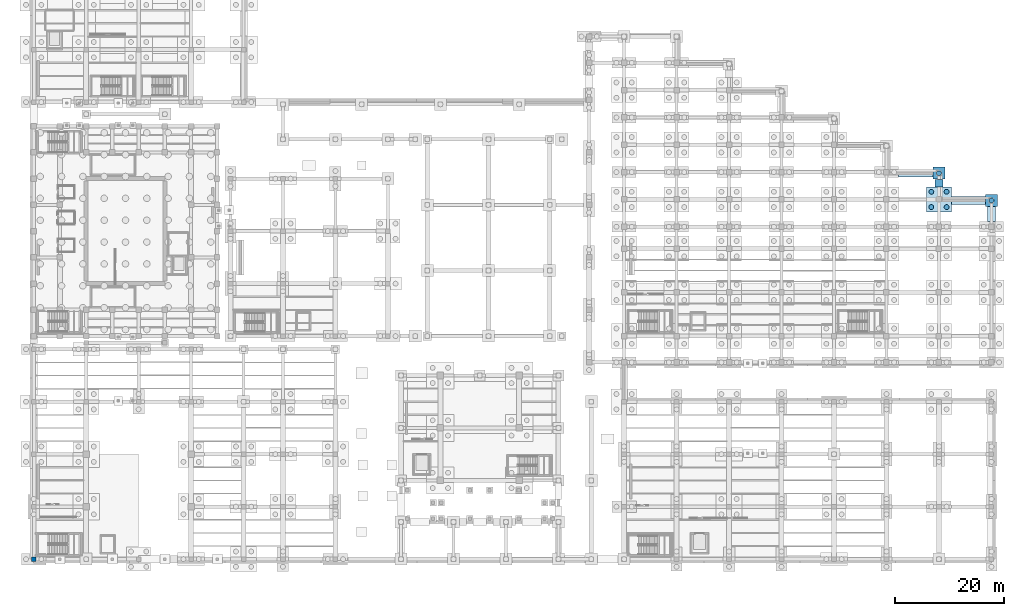
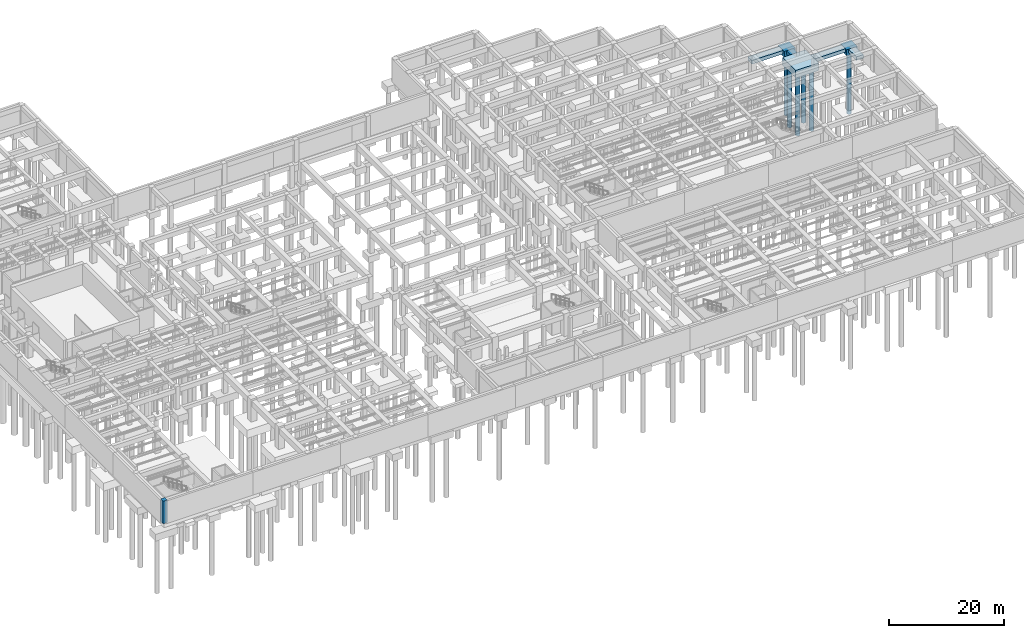
# One storey, part 11 of 56: 7 footings, 6 piles, 1 column.
"""IFC4 building model written with IfcOpenShell, lengths in metres."""

from ifc_helpers import new_model, si_unit, direction, frame, origin, origin_with_axes, origin_2d, place, context, subcontext, project, spatial, rectangle, circle, extrude, material, material_profile, profile_set, type_object, element, save


model = new_model("IFC4")

# Units and contexts
model_context = context("Model", 3, precision=1e-05, world=origin(), true_north=direction((0.0, 1.0)))
body_context = subcontext(model_context, "Body", "Model", "MODEL_VIEW")
ifc_project = project(units=[si_unit("LENGTHUNIT", "METRE"), si_unit("AREAUNIT", "SQUARE_METRE"), si_unit("VOLUMEUNIT", "CUBIC_METRE"), si_unit("PLANEANGLEUNIT", "RADIAN"), si_unit("MASSUNIT", "GRAM", prefix="KILO")], contexts=[model_context])

# Site, building, storey
site_placement = place(None, origin())
site = spatial("IfcSite", under=ifc_project, at=site_placement, CompositionType="ELEMENT")
building_placement = place(site_placement, origin())
building = spatial("IfcBuilding", under=site, at=building_placement, Name="Mavantir Sound Aquarium", CompositionType="ELEMENT")
storey_placement = place(building_placement, frame((0.0, 0.0, -9.60009765625)))
storey = spatial("IfcBuildingStorey", under=building, at=storey_placement, Name="B2", CompositionType="ELEMENT", Elevation=-9.60009765625)

# Footings
ifc_material = material(Name="Concrete C40/50", Category="concrete")
footing_type_1 = type_object("IfcFootingType", Name="PC-01", PredefinedType="PILE_CAP", material=ifc_material)
footing_1_placement = place(storey_placement, frame((165.60009765625, 65.800048828125, -1.599853515625), z_axis=(0.0, 0.0, 1.0), x_axis=(1.0, 0.0, 0.0)))
element("IfcFooting", 1, at=footing_1_placement, inside=storey, type_object=footing_type_1, Name="Pile cap PC-01 125", PredefinedType="PILE_CAP", context=body_context, shape_type="SweptSolid", body=[
    extrude(rectangle(XDim=4.60009765625, YDim=4.60009765625, at=origin_2d()), origin(), (0.0, 0.0, 1.0), 1.60009765625),
])
footing_type_2 = type_object("IfcFootingType", Name="PC-08", PredefinedType="PILE_CAP", material=ifc_material)
for number, where, z_axis, x_axis, name in (
    (2, (165.60009765625, 70.60009765625, -1.2998046875), (0.0, 0.0, 1.0), (1.0, 0.0, 0.0), "Pile cap PC-08 126"),
    (3, (175.199951171875, 65.60009765625, -1.2998046875), (0.0, 0.0, 1.0), (1.0, 0.0, 0.0), "Pile cap PC-08 132"),
):
    element("IfcFooting", number, at=place(storey_placement, frame(where, z_axis=z_axis, x_axis=x_axis)), inside=storey, type_object=footing_type_2, Name=name, PredefinedType="PILE_CAP", context=body_context, shape_type="SweptSolid", body=[
        extrude(rectangle(XDim=2.199951171875, YDim=2.199951171875, at=origin_2d()), origin(), (0.0, 0.0, 1.0), 1.300048828125),
    ])

# Piles
ifc_material_profile_1 = material_profile(ifc_material, circle(Radius=0.449951171875, at=origin_2d()), Name="PILE D900")
ifc_profile_set_1 = profile_set([ifc_material_profile_1], Name="Concrete C40/50")
pile_type = type_object("IfcPileType", Name="PILE-D900", PredefinedType="BORED", material=ifc_profile_set_1)
for number, where, z_axis, x_axis, name in (
    (4, (164.199951171875, 64.39990234375, -1.5), (0.0, 0.0, -1.0), (1.0, 0.0, 0.0), "Bored pile P-900 423"),
    (5, (167.0, 64.39990234375, -1.5), (0.0, 0.0, -1.0), (1.0, 0.0, 0.0), "Bored pile P-900 424"),
    (6, (164.199951171875, 67.199951171875, -1.5), (0.0, 0.0, -1.0), (1.0, 0.0, 0.0), "Bored pile P-900 425"),
    (7, (167.0, 67.199951171875, -1.5), (0.0, 0.0, -1.0), (1.0, 0.0, 0.0), "Bored pile P-900 426"),
):
    element("IfcPile", number, at=place(storey_placement, frame(where, z_axis=z_axis, x_axis=x_axis)), inside=storey, type_object=pile_type, Name=name, PredefinedType="BORED", context=body_context, shape_type="SweptSolid", body=[
        extrude(circle(Radius=0.449951171875, at=origin_2d()), origin(), (0.0, 0.0, 1.0), 12.89990234375),
    ])
for number, where, z_axis, x_axis, name in (
    (8, (165.60009765625, 70.60009765625, -1.199951171875), (0.0, 0.0, -1.0), (1.0, 0.0, 0.0), "Bored pile P-900 427"),
    (9, (175.199951171875, 65.60009765625, -1.199951171875), (0.0, 0.0, -1.0), (1.0, 0.0, 0.0), "Bored pile P-900 444"),
):
    element("IfcPile", number, at=place(storey_placement, frame(where, z_axis=z_axis, x_axis=x_axis)), inside=storey, type_object=pile_type, Name=name, PredefinedType="BORED", context=body_context, shape_type="SweptSolid", body=[
        extrude(circle(Radius=0.449951171875, at=origin_2d()), origin(), (0.0, 0.0, 1.0), 13.199951171875),
    ])

# Footings
ifc_material_profile_2 = material_profile(ifc_material, rectangle(XDim=1.39990234375, YDim=0.75, at=origin_2d()), Name="RC 1400X750")
ifc_profile_set_2 = profile_set([ifc_material_profile_2], Name="Concrete C40/50")
footing_type_3 = type_object("IfcFootingType", Name="SF-02", PredefinedType="STRIP_FOOTING", material=ifc_profile_set_2)
footing_2_placement = place(storey_placement, frame((158.2080078125, 70.60009765625, -0.375), z_axis=(1.0, 0.0, 0.0), x_axis=(0.0, 1.0, 0.0)))
element("IfcFooting", 10, at=footing_2_placement, inside=storey, type_object=footing_type_3, Name="Perimeter retaining wall strip footing 28", PredefinedType="STRIP_FOOTING", context=body_context, shape_type="SweptSolid", body=[
    extrude(rectangle(XDim=1.39990234375, YDim=0.75, at=origin_2d()), origin(), (0.0, 0.0, 1.0), 6.283935546875),
])
footing_3_placement = place(storey_placement, frame((165.60009765625, 69.491943359375, -0.375), z_axis=(0.0, -1.0, 0.0), x_axis=(1.0, 0.0, 0.0)))
element("IfcFooting", 11, at=footing_3_placement, inside=storey, type_object=footing_type_3, Name="Perimeter retaining wall strip footing 29", PredefinedType="STRIP_FOOTING", context=body_context, shape_type="SweptSolid", body=[
    extrude(rectangle(XDim=1.39990234375, YDim=0.75, at=origin_2d()), origin(), (0.0, 0.0, 1.0), 1.384033203125),
])
footing_4_placement = place(storey_placement, frame((167.907958984375, 65.60009765625, -0.375), z_axis=(1.0, 0.0, 0.0), x_axis=(0.0, 1.0, 0.0)))
element("IfcFooting", 12, at=footing_4_placement, inside=storey, type_object=footing_type_3, Name="Perimeter retaining wall strip footing 30", PredefinedType="STRIP_FOOTING", context=body_context, shape_type="SweptSolid", body=[
    extrude(rectangle(XDim=1.39990234375, YDim=0.75, at=origin_2d()), origin(), (0.0, 0.0, 1.0), 6.18408203125),
])
footing_5_placement = place(storey_placement, frame((175.199951171875, 64.491943359375, -0.375), z_axis=(0.0, -1.0, 0.0), x_axis=(1.0, 0.0, 0.0)))
element("IfcFooting", 13, at=footing_5_placement, inside=storey, type_object=footing_type_3, Name="Perimeter retaining wall strip footing 31", PredefinedType="STRIP_FOOTING", context=body_context, shape_type="SweptSolid", body=[
    extrude(rectangle(XDim=1.39990234375, YDim=0.75, at=origin_2d()), origin(), (0.0, 0.0, 1.0), 2.683837890625),
])

# Column
ifc_material_profile_3 = material_profile(ifc_material, rectangle(XDim=0.85009765625, YDim=0.85009765625, at=origin_2d()), Name="RC 850X850")
ifc_profile_set_3 = profile_set([ifc_material_profile_3], Name="Concrete C40/50")
column_type = type_object("IfcColumnType", Name="COL-RC850-E", PredefinedType="COLUMN", material=ifc_profile_set_3)
column_placement = place(storey_placement, origin_with_axes())
element("IfcColumn", 14, at=column_placement, inside=storey, type_object=column_type, Name="B2 column RC-C85 (V3)", PredefinedType="COLUMN", context=body_context, shape_type="SweptSolid", body=[
    extrude(rectangle(XDim=0.85009765625, YDim=0.85009765625, at=origin_2d()), origin(), (0.0, 0.0, 1.0), 4.800048828125),
])

save(model, "model.ifc")
